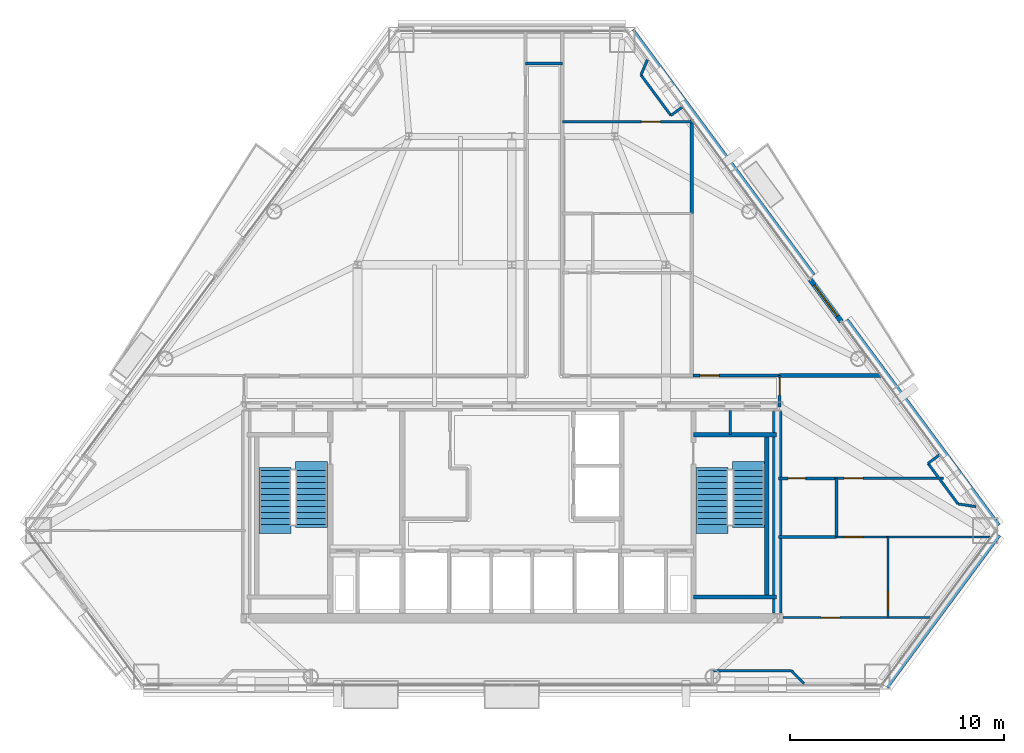
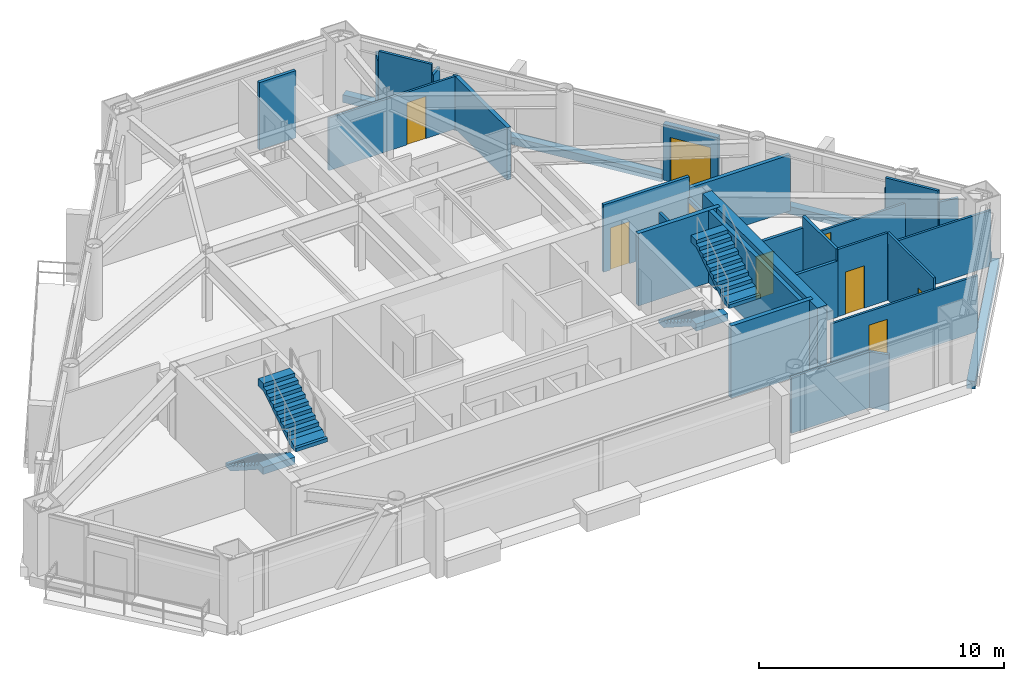
# One storey, part 9 of 11: 31 walls, 9 doors, 4 stair flights, 9 openings, 2 elements without a shape of their own.
"""IFC4 building model written with IfcOpenShell, lengths in metres."""

from ifc_helpers import new_model, si_unit, direction, frame, frame_2d, origin, place, context, subcontext, project, spatial, polyline, rectangle, outline, extrude, material, layer, layer_set, type_object, element, fill, aggregate, save


model = new_model("IFC4")

# Units and contexts
model_context = context("Model", 3, precision=1e-05, world=origin(), true_north=direction((0.0, 1.0)))
body_context = subcontext(model_context, "Body", "Model", "MODEL_VIEW")
ifc_project = project(units=[si_unit("LENGTHUNIT", "METRE"), si_unit("AREAUNIT", "SQUARE_METRE"), si_unit("VOLUMEUNIT", "CUBIC_METRE"), si_unit("PLANEANGLEUNIT", "RADIAN"), si_unit("MASSUNIT", "GRAM", prefix="KILO")], contexts=[model_context])

# Site, building, storey
site_placement = place(None, origin())
site = spatial("IfcSite", under=ifc_project, at=site_placement, CompositionType="ELEMENT")
building_placement = place(site_placement, origin())
building = spatial("IfcBuilding", under=site, at=building_placement, Name="Talgorran Terracotta Tower", CompositionType="ELEMENT")
storey_placement = place(building_placement, frame((0.0, 0.0, 136.5)))
storey = spatial("IfcBuildingStorey", under=building, at=storey_placement, Name="L35", CompositionType="ELEMENT", Elevation=136.5)

# Wall, opening, door
ifc_material_1 = material(Name="Concrete C40/50", Category="concrete")
ifc_layer_1 = layer(ifc_material_1, 0.239990234375, Name="WT_BALCONY_SPAND")
ifc_layer_set_1 = layer_set([ifc_layer_1], Name="Concrete C40/50")
wall_type_1 = type_object("IfcWallType", Name="WT_BALCONY_SPAND", PredefinedType="STANDARD", material=ifc_layer_set_1)
wall_1_placement = place(storey_placement, frame((15.38427734375, -0.24560546875, -0.014892578125), z_axis=(0.0, 0.0, 1.0), x_axis=(-0.594317914364, 0.804230201289, 0.0)))
wall_1 = element("IfcWall", 1, at=wall_1_placement, inside=storey, type_object=wall_type_1, Name="WL-L35-BALP-BAL-NE", PredefinedType="STANDARD", context=body_context, shape_type="SweptSolid", body=[
    extrude(rectangle(XDim=2.440185546875, YDim=0.239990234375, at=frame_2d((1.22021484375, 0.0))), origin(), (0.0, 0.0, 1.0), 2.806884765625),
])
opening_1_placement = place(wall_1_placement, frame((0.320068359375, 0.0, 0.014892578125)))
opening_1 = element("IfcOpeningElement", 2, at=opening_1_placement, cuts=wall_1, Name="Opening D-BAL-L35-1", PredefinedType="OPENING", context=body_context, shape_type="SweptSolid", body=[
    extrude(rectangle(XDim=1.806048828125, YDim=2.203951171875, at=frame_2d((0.89990234375, 1.10205078125))), frame((0.0, 0.1298828125, 0.0), z_axis=(0.0, -1.0, 0.0), x_axis=(1.0, 0.0, 0.0)), (0.0, 0.0, 1.0), 0.260009765625),
])
ifc_material_2 = material(Name="Thermally Broken Aluminium", Category="aluminium")
door_type_1 = type_object("IfcDoorType", Name="DT_BALC_1800", OperationType="SLIDING_TO_LEFT", PredefinedType="DOOR", material=ifc_material_2)
door_1_placement = place(opening_1_placement, origin())
door_1 = element("IfcDoor", 3, at=door_1_placement, inside=storey, type_object=door_type_1, Name="DR-L35-BAL-BAL-NE", OperationType="SLIDING_TO_LEFT", OverallHeight=2.199951171875, OverallWidth=1.800048828125, PredefinedType="DOOR", context=body_context, shape_type="SweptSolid", body=[
    extrude(rectangle(XDim=1.800048828125, YDim=2.199951171875, at=frame_2d((0.89990234375, 1.10009765625))), frame((0.0, 0.02490234375, 0.0), z_axis=(0.0, -1.0, 0.0), x_axis=(1.0, 0.0, 0.0)), (0.0, 0.0, 1.0), 0.050048828125),
])
fill(opening_1, door_1)

# Walls
ifc_material_3 = material(Name="Concrete C50/60", Category="concrete")
ifc_layer_2 = layer(ifc_material_3, 0.199951171875, Name="WT_CORE_200")
ifc_layer_set_2 = layer_set([ifc_layer_2], Name="Concrete C50/60")
wall_type_2 = type_object("IfcWallType", Name="WT_CORE_200", PredefinedType="SOLIDWALL", material=ifc_layer_set_2)
for number, where, z_axis, x_axis, name in (
    (4, (8.47998046875, -5.52001953125, 0.0), (0.0, 0.0, 1.0), (1.0, 0.0, 0.0), "WL-L35-CW-ST2-N"),
    (5, (8.47998046875, -13.10009765625, 0.0), (0.0, 0.0, 1.0), (1.0, 0.0, 0.0), "WL-L35-CW-ST2-S"),
):
    element("IfcWall", number, at=place(storey_placement, frame(where, z_axis=z_axis, x_axis=x_axis)), inside=storey, type_object=wall_type_2, Name=name, PredefinedType="SOLIDWALL", context=body_context, shape_type="SweptSolid", body=[
        extrude(rectangle(XDim=3.8701171875, YDim=0.199951171875, at=frame_2d((1.93505859375, 0.0))), origin(), (0.0, 0.0, 1.0), 3.60009765625),
    ])
wall_2_placement = place(storey_placement, frame((11.89990234375, -13.10009765625, 0.0), z_axis=(0.0, 0.0, 1.0), x_axis=(0.0, 1.0, 0.0)))
element("IfcWall", 6, at=wall_2_placement, inside=storey, type_object=wall_type_2, Name="WL-L35-CW-ST2-E", PredefinedType="SOLIDWALL", context=body_context, shape_type="SweptSolid", body=[
    extrude(rectangle(XDim=7.580078125, YDim=0.199951171875, at=frame_2d((3.7900390625, 0.0))), origin(), (0.0, 0.0, 1.0), 3.60009765625),
])
ifc_material_4 = material(Name="Concrete C65/80", Category="concrete")
ifc_layer_3 = layer(ifc_material_4, 0.449951171875, Name="WT_CORE_EXT")
ifc_layer_set_3 = layer_set([ifc_layer_3], Name="Concrete C65/80")
wall_type_3 = type_object("IfcWallType", Name="WT_CORE_EXT", PredefinedType="SHEAR", material=ifc_layer_set_3)
wall_3_placement = place(storey_placement, frame((12.39990234375, -13.85009765625, 0.0), z_axis=(0.0, 0.0, 1.0), x_axis=(0.0, 1.0, 0.0)))
element("IfcWall", 7, at=wall_3_placement, inside=storey, type_object=wall_type_3, Name="WL-L35-CW-OUT-E", PredefinedType="SHEAR", context=body_context, shape_type="SweptSolid", body=[
    extrude(rectangle(XDim=9.400146484375, YDim=0.449951171875, at=frame_2d((4.7001953125, 0.0))), origin(), (0.0, 0.0, 1.0), 3.60009765625),
])

# Wall, opening, door
ifc_material_5 = material(Name="Fire-Rated Steel Stud Plasterboard", Category="steel")
ifc_layer_4 = layer(ifc_material_5, 0.14990234375, Name="WT_FIRE_150")
ifc_layer_set_4 = layer_set([ifc_layer_4], Name="Fire-Rated Steel Stud Plasterboard")
wall_type_4 = type_object("IfcWallType", Name="WT_FIRE_150", PredefinedType="PARTITIONING", material=ifc_layer_set_4)
wall_4_placement = place(storey_placement, frame((8.4619140625, -2.760009765625, 0.0), z_axis=(0.0, 0.0, 1.0), x_axis=(1.0, 0.0, 0.0)))
wall_4 = element("IfcWall", 8, at=wall_4_placement, inside=storey, type_object=wall_type_4, Name="WL-L35-W-L35-R12", PredefinedType="PARTITIONING", context=body_context, shape_type="SweptSolid", body=[
    extrude(rectangle(XDim=4.0380859375, YDim=0.14990234375, at=frame_2d((2.01904296875, 0.0))), origin(), (0.0, 0.0, 1.0), 3.35009765625),
])
opening_2_placement = place(wall_4_placement, frame((0.31591796875, 0.0, 0.0)))
opening_2 = element("IfcOpeningElement", 9, at=opening_2_placement, cuts=wall_4, Name="Opening DR-L35-R13", PredefinedType="OPENING", context=body_context, shape_type="SweptSolid", body=[
    extrude(rectangle(XDim=0.90590234375, YDim=2.10409765625, at=frame_2d((0.449951171875, 1.052001953125))), frame((0.0, 0.0849609375, 0.0), z_axis=(0.0, -1.0, 0.0), x_axis=(1.0, 0.0, 0.0)), (0.0, 0.0, 1.0), 0.169921875),
])
ifc_material_6 = material(Name="Fire-Rated Timber Core", Category="wood")
door_type_2 = type_object("IfcDoorType", Name="DT_FIRE_900", OperationType="NOTDEFINED", PredefinedType="DOOR", material=ifc_material_6)
door_2_placement = place(opening_2_placement, origin())
door_2 = element("IfcDoor", 10, at=door_2_placement, inside=storey, type_object=door_type_2, Name="DR-L35-R13", OperationType="SINGLE_SWING_LEFT", OverallHeight=2.10009765625, OverallWidth=0.89990234375, PredefinedType="DOOR", context=body_context, shape_type="SweptSolid", body=[
    extrude(rectangle(XDim=0.89990234375, YDim=2.10009765625, at=frame_2d((0.449951171875, 1.050048828125))), frame((0.0, 0.02490234375, 0.0), z_axis=(0.0, -1.0, 0.0), x_axis=(1.0, 0.0, 0.0)), (0.0, 0.0, 1.0), 0.050048828125),
])
fill(opening_2, door_2)

wall_5_placement = place(storey_placement, frame((12.5, -4.239990234375, 0.0), z_axis=(0.0, 0.0, 1.0), x_axis=(0.0, 1.0, 0.0)))
wall_5 = element("IfcWall", 11, at=wall_5_placement, inside=storey, type_object=wall_type_4, Name="WL-L35-W-L35-R01", PredefinedType="PARTITIONING", context=body_context, shape_type="SweptSolid", body=[
    extrude(rectangle(XDim=1.47998046875, YDim=0.14990234375, at=frame_2d((0.739990234375, 0.0))), origin(), (0.0, 0.0, 1.0), 2.324951171875),
])
opening_3_placement = place(wall_5_placement, frame((0.56005859375, 0.0, 0.0)))
opening_3 = element("IfcOpeningElement", 12, at=opening_3_placement, cuts=wall_5, Name="Opening DR-L35-R01", PredefinedType="OPENING", context=body_context, shape_type="SweptSolid", body=[
    extrude(rectangle(XDim=0.826068359375, YDim=2.10409765625, at=frame_2d((0.41015625, 1.052001953125))), frame((0.0, 0.0849609375, 0.0), z_axis=(0.0, -1.0, 0.0), x_axis=(1.0, 0.0, 0.0)), (0.0, 0.0, 1.0), 0.169921875),
])
ifc_material_7 = material(Name="Moisture-Resistant Solid Timber", Category="wood")
door_type_3 = type_object("IfcDoorType", Name="DT_INT_820", OperationType="NOTDEFINED", PredefinedType="DOOR", material=ifc_material_7)
door_3_placement = place(opening_3_placement, origin())
door_3 = element("IfcDoor", 13, at=door_3_placement, inside=storey, type_object=door_type_3, Name="DR-L35-R01", OperationType="SINGLE_SWING_LEFT", OverallHeight=2.10009765625, OverallWidth=0.820068359375, PredefinedType="DOOR", context=body_context, shape_type="SweptSolid", body=[
    extrude(rectangle(XDim=0.820068359375, YDim=2.10009765625, at=frame_2d((0.41015625, 1.050048828125))), frame((0.0, 0.02490234375, 0.0), z_axis=(0.0, -1.0, 0.0), x_axis=(1.0, 0.0, 0.0)), (0.0, 0.0, 1.0), 0.050048828125),
])
fill(opening_3, door_3)

# Walls
wall_6_placement = place(storey_placement, frame((0.639892578125, 11.800048828125, 0.0), z_axis=(0.0, 0.0, 1.0), x_axis=(1.0, 0.0, 0.0)))
element("IfcWall", 14, at=wall_6_placement, inside=storey, type_object=wall_type_4, Name="WL-L35-W-L35-R05", PredefinedType="PARTITIONING", context=body_context, shape_type="SweptSolid", body=[
    extrude(rectangle(XDim=1.72021484375, YDim=0.14990234375, at=frame_2d((0.860107421875, 0.0))), origin(), (0.0, 0.0, 1.0), 3.35009765625),
])
ifc_layer_5 = layer(ifc_material_1, 0.219970703125, Name="WT_PARAPET_RC")
ifc_layer_set_5 = layer_set([ifc_layer_5], Name="Concrete C40/50")
wall_type_5 = type_object("IfcWallType", Name="WT_PARAPET_RC", PredefinedType="PARAPET", material=ifc_layer_set_5)
wall_7_placement = place(storey_placement, frame((17.434814453125, -17.249755859375, -0.199951171875), z_axis=(0.0, 0.0, 1.0), x_axis=(0.59435368638, 0.804203764905, 0.0)))
element("IfcWall", 15, at=wall_7_placement, inside=storey, type_object=wall_type_5, Name="L35 Striped Portal Precast Cornice F2", PredefinedType="PARAPET", context=body_context, shape_type="SweptSolid", body=[
    extrude(rectangle(XDim=8.816162109375, YDim=0.360107421875, at=frame_2d((4.408203125, 0.0))), origin(), (0.0, 0.0, 1.0), 0.3798828125),
])
wall_8_placement = place(storey_placement, frame((22.65087890625, -9.80859375, -0.199951171875), z_axis=(0.0, 0.0, 1.0), x_axis=(-0.594348443541, 0.804207639643, 0.0)))
element("IfcWall", 16, at=wall_8_placement, inside=storey, type_object=wall_type_5, Name="L35 Striped Portal Precast Cornice F40", PredefinedType="PARAPET", context=body_context, shape_type="SweptSolid", body=[
    extrude(rectangle(XDim=11.919677734375, YDim=0.360107421875, at=frame_2d((5.9599609375, 0.0))), origin(), (0.0, 0.0, 1.0), 0.3798828125),
])
wall_9_placement = place(storey_placement, frame((14.00927734375, 1.88427734375, -0.199951171875), z_axis=(0.0, 0.0, 1.0), x_axis=(-0.594366423929, 0.804194350954, 0.0)))
element("IfcWall", 17, at=wall_9_placement, inside=storey, type_object=wall_type_5, Name="L35 Striped Portal Precast Cornice F41", PredefinedType="PARAPET", context=body_context, shape_type="SweptSolid", body=[
    extrude(rectangle(XDim=14.210205078125, YDim=0.360107421875, at=frame_2d((7.10498046875, 0.0))), origin(), (0.0, 0.0, 1.0), 0.3798828125),
])
ifc_material_8 = material(Name="Acoustic Stud and Plasterboard")
ifc_layer_6 = layer(ifc_material_8, 0.179931640625, Name="WT_PARTY_200")
ifc_layer_set_6 = layer_set([ifc_layer_6], Name="Acoustic Stud and Plasterboard")
wall_type_6 = type_object("IfcWallType", Name="WT_PARTY_200", PredefinedType="PARTITIONING", material=ifc_layer_set_6)
wall_10_placement = place(storey_placement, frame((12.5, -2.760009765625, 0.0), z_axis=(0.0, 0.0, 1.0), x_axis=(1.0, 0.0, 0.0)))
element("IfcWall", 18, at=wall_10_placement, inside=storey, type_object=wall_type_6, Name="WL-L35-W-L35-R16", PredefinedType="PARTITIONING", context=body_context, shape_type="SweptSolid", body=[
    extrude(rectangle(XDim=4.74267578125, YDim=0.179931640625, at=frame_2d((2.371337890625, 0.0))), origin(), (0.0, 0.0, 1.0), 2.7919921875),
])
wall_11_placement = place(storey_placement, frame((8.39990234375, 4.800048828125, 0.0), z_axis=(0.0, 0.0, 1.0), x_axis=(0.0, 1.0, 0.0)))
element("IfcWall", 19, at=wall_11_placement, inside=storey, type_object=wall_type_6, Name="WL-L35-W-L35-R33", PredefinedType="PARTITIONING", context=body_context, shape_type="SweptSolid", body=[
    extrude(rectangle(XDim=4.404541015625, YDim=0.179931640625, at=frame_2d((2.2021484375, 0.0))), origin(), (0.0, 0.0, 1.0), 2.616943359375),
])

# Wall, opening, door
ifc_material_9 = material(Name="Lightweight Steel Stud Partition", Category="steel")
ifc_layer_7 = layer(ifc_material_9, 0.10498046875, Name="WT_PART_110")
ifc_layer_set_7 = layer_set([ifc_layer_7], Name="Lightweight Steel Stud Partition")
wall_type_7 = type_object("IfcWallType", Name="WT_PART_110", PredefinedType="PARTITIONING", material=ifc_layer_set_7)
wall_12_placement = place(storey_placement, frame((12.659912109375, -14.06005859375, 0.0), z_axis=(0.0, 0.0, 1.0), x_axis=(1.0, 0.0, 0.0)))
wall_12 = element("IfcWall", 20, at=wall_12_placement, inside=storey, type_object=wall_type_7, Name="WL-L35-W-L35-R21", PredefinedType="PARTITIONING", context=body_context, shape_type="SweptSolid", body=[
    extrude(rectangle(XDim=6.933349609375, YDim=0.10498046875, at=frame_2d((3.466796875, 0.0))), origin(), (0.0, 0.0, 1.0), 2.7919921875),
])
opening_4_placement = place(wall_12_placement, frame((1.780029296875, 0.0, 0.0)))
opening_4 = element("IfcOpeningElement", 21, at=opening_4_placement, cuts=wall_12, Name="Opening DR-L35-R04", PredefinedType="OPENING", context=body_context, shape_type="SweptSolid", body=[
    extrude(rectangle(XDim=0.8858828125, YDim=2.10409765625, at=frame_2d((0.43994140625, 1.052001953125))), frame((0.0, 0.0625, 0.0), z_axis=(0.0, -1.0, 0.0), x_axis=(1.0, 0.0, 0.0)), (0.0, 0.0, 1.0), 0.125),
])
ifc_material_10 = material(Name="Solid-Core Painted Timber", Category="wood")
door_type_4 = type_object("IfcDoorType", Name="DT_INT_880", OperationType="NOTDEFINED", PredefinedType="DOOR", material=ifc_material_10)
door_4_placement = place(opening_4_placement, origin())
door_4 = element("IfcDoor", 22, at=door_4_placement, inside=storey, type_object=door_type_4, Name="DR-L35-R04", OperationType="SINGLE_SWING_RIGHT", OverallHeight=2.10009765625, OverallWidth=0.8798828125, PredefinedType="DOOR", context=body_context, shape_type="SweptSolid", body=[
    extrude(rectangle(XDim=0.8798828125, YDim=2.10009765625, at=frame_2d((0.43994140625, 1.050048828125))), frame((0.0, 0.02490234375, 0.0), z_axis=(0.0, -1.0, 0.0), x_axis=(1.0, 0.0, 0.0)), (0.0, 0.0, 1.0), 0.050048828125),
])
fill(opening_4, door_4)

wall_13_placement = place(storey_placement, frame((2.360107421875, 9.080078125, 0.0), z_axis=(0.0, 0.0, 1.0), x_axis=(1.0, 0.0, 0.0)))
wall_13 = element("IfcWall", 23, at=wall_13_placement, inside=storey, type_object=wall_type_7, Name="WL-L35-W-L35-R32", PredefinedType="PARTITIONING", context=body_context, shape_type="SweptSolid", body=[
    extrude(rectangle(XDim=6.132080078125, YDim=0.10498046875, at=frame_2d((3.06591796875, 0.0))), origin(), (0.0, 0.0, 1.0), 2.616943359375),
])
opening_5_placement = place(wall_13_placement, frame((3.69091796875, 0.0, 0.0)))
opening_5 = element("IfcOpeningElement", 24, at=opening_5_placement, cuts=wall_13, Name="Opening DR-L35-R12", PredefinedType="OPENING", context=body_context, shape_type="SweptSolid", body=[
    extrude(rectangle(XDim=0.8858828125, YDim=2.10409765625, at=frame_2d((0.43994140625, 1.052001953125))), frame((0.0, 0.0625, 0.0), z_axis=(0.0, -1.0, 0.0), x_axis=(1.0, 0.0, 0.0)), (0.0, 0.0, 1.0), 0.125),
])
door_5_placement = place(opening_5_placement, origin())
door_5 = element("IfcDoor", 25, at=door_5_placement, inside=storey, type_object=door_type_4, Name="DR-L35-R12", OperationType="SINGLE_SWING_RIGHT", OverallHeight=2.10009765625, OverallWidth=0.8798828125, PredefinedType="DOOR", context=body_context, shape_type="SweptSolid", body=[
    extrude(rectangle(XDim=0.8798828125, YDim=2.10009765625, at=frame_2d((0.43994140625, 1.050048828125))), frame((0.0, 0.02490234375, 0.0), z_axis=(0.0, -1.0, 0.0), x_axis=(1.0, 0.0, 0.0)), (0.0, 0.0, 1.0), 0.050048828125),
])
fill(opening_5, door_5)

wall_14_placement = place(storey_placement, frame((15.080078125, -7.56005859375, 0.0), z_axis=(0.0, 0.0, 1.0), x_axis=(1.0, 0.0, 0.0)))
wall_14 = element("IfcWall", 26, at=wall_14_placement, inside=storey, type_object=wall_type_7, Name="WL-L35-W-L35-R15", PredefinedType="PARTITIONING", context=body_context, shape_type="SweptSolid", body=[
    extrude(rectangle(XDim=5.079833984375, YDim=0.10498046875, at=frame_2d((2.5400390625, 0.0))), origin(), (0.0, 0.0, 1.0), 2.324951171875),
])
opening_6_placement = place(wall_14_placement, frame((0.438232421875, 0.0, 0.0)))
opening_6 = element("IfcOpeningElement", 27, at=opening_6_placement, cuts=wall_14, Name="Opening DR-L35-R03", PredefinedType="OPENING", context=body_context, shape_type="SweptSolid", body=[
    extrude(rectangle(XDim=0.8858828125, YDim=2.10409765625, at=frame_2d((0.43994140625, 1.052001953125))), frame((0.0, 0.0625, 0.0), z_axis=(0.0, -1.0, 0.0), x_axis=(1.0, 0.0, 0.0)), (0.0, 0.0, 1.0), 0.125),
])
door_6_placement = place(opening_6_placement, origin())
door_6 = element("IfcDoor", 28, at=door_6_placement, inside=storey, type_object=door_type_4, Name="DR-L35-R03", OperationType="SINGLE_SWING_LEFT", OverallHeight=2.10009765625, OverallWidth=0.8798828125, PredefinedType="DOOR", context=body_context, shape_type="SweptSolid", body=[
    extrude(rectangle(XDim=0.8798828125, YDim=2.10009765625, at=frame_2d((0.43994140625, 1.050048828125))), frame((0.0, 0.02490234375, 0.0), z_axis=(0.0, -1.0, 0.0), x_axis=(1.0, 0.0, 0.0)), (0.0, 0.0, 1.0), 0.050048828125),
])
fill(opening_6, door_6)

# Wall
wall_15_placement = place(storey_placement, frame((17.5, -10.300048828125, 0.0), z_axis=(0.0, 0.0, 1.0), x_axis=(1.0, 0.0, 0.0)))
element("IfcWall", 29, at=wall_15_placement, inside=storey, type_object=wall_type_7, Name="WL-L35-W-L35-R20", PredefinedType="PARTITIONING", context=body_context, shape_type="SweptSolid", body=[
    extrude(rectangle(XDim=4.8720703125, YDim=0.10498046875, at=frame_2d((2.43603515625, 0.0))), origin(), (0.0, 0.0, 1.0), 2.7919921875),
])

# Wall, opening, door
wall_16_placement = place(storey_placement, frame((17.56005859375, -14.06005859375, 0.0), z_axis=(0.0, 0.0, 1.0), x_axis=(0.0, 1.0, 0.0)))
wall_16 = element("IfcWall", 30, at=wall_16_placement, inside=storey, type_object=wall_type_7, Name="WL-L35-W-L35-R22", PredefinedType="PARTITIONING", context=body_context, shape_type="SweptSolid", body=[
    extrude(rectangle(XDim=3.760009765625, YDim=0.10498046875, at=frame_2d((1.8798828125, 0.0))), origin(), (0.0, 0.0, 1.0), 3.35009765625),
])
opening_7_placement = place(wall_16_placement, frame((0.360107421875, 0.0, 0.0)))
opening_7 = element("IfcOpeningElement", 31, at=opening_7_placement, cuts=wall_16, Name="Opening DR-L35-R05", PredefinedType="OPENING", context=body_context, shape_type="SweptSolid", body=[
    extrude(rectangle(XDim=0.8858828125, YDim=2.10409765625, at=frame_2d((0.43994140625, 1.052001953125))), frame((0.0, 0.0625, 0.0), z_axis=(0.0, -1.0, 0.0), x_axis=(1.0, 0.0, 0.0)), (0.0, 0.0, 1.0), 0.125),
])
door_7_placement = place(opening_7_placement, origin())
door_7 = element("IfcDoor", 32, at=door_7_placement, inside=storey, type_object=door_type_4, Name="DR-L35-R05", OperationType="SINGLE_SWING_LEFT", OverallHeight=2.10009765625, OverallWidth=0.8798828125, PredefinedType="DOOR", context=body_context, shape_type="SweptSolid", body=[
    extrude(rectangle(XDim=0.8798828125, YDim=2.10009765625, at=frame_2d((0.43994140625, 1.050048828125))), frame((0.0, 0.02490234375, 0.0), z_axis=(0.0, -1.0, 0.0), x_axis=(1.0, 0.0, 0.0)), (0.0, 0.0, 1.0), 0.050048828125),
])
fill(opening_7, door_7)

wall_17_placement = place(storey_placement, frame((15.159912109375, -10.300048828125, 0.0), z_axis=(0.0, 0.0, 1.0), x_axis=(1.0, 0.0, 0.0)))
wall_17 = element("IfcWall", 33, at=wall_17_placement, inside=storey, type_object=wall_type_7, Name="WL-L35-W-L35-R19", PredefinedType="PARTITIONING", context=body_context, shape_type="SweptSolid", body=[
    extrude(rectangle(XDim=2.338134765625, YDim=0.10498046875, at=frame_2d((1.1689453125, 0.0))), origin(), (0.0, 0.0, 1.0), 3.35009765625),
])
opening_8_placement = place(wall_17_placement, frame((0.3564453125, 0.0, 0.0)))
opening_8 = element("IfcOpeningElement", 34, at=opening_8_placement, cuts=wall_17, Name="Opening DR-L35-R16", PredefinedType="OPENING", context=body_context, shape_type="SweptSolid", body=[
    extrude(rectangle(XDim=0.8858828125, YDim=2.10409765625, at=frame_2d((0.43994140625, 1.052001953125))), frame((0.0, 0.0625, 0.0), z_axis=(0.0, -1.0, 0.0), x_axis=(1.0, 0.0, 0.0)), (0.0, 0.0, 1.0), 0.125),
])
door_8_placement = place(opening_8_placement, origin())
door_8 = element("IfcDoor", 35, at=door_8_placement, inside=storey, type_object=door_type_4, Name="DR-L35-R16", OperationType="SINGLE_SWING_RIGHT", OverallHeight=2.10009765625, OverallWidth=0.8798828125, PredefinedType="DOOR", context=body_context, shape_type="SweptSolid", body=[
    extrude(rectangle(XDim=0.8798828125, YDim=2.10009765625, at=frame_2d((0.43994140625, 1.050048828125))), frame((0.0, 0.02490234375, 0.0), z_axis=(0.0, -1.0, 0.0), x_axis=(1.0, 0.0, 0.0)), (0.0, 0.0, 1.0), 0.050048828125),
])
fill(opening_8, door_8)

# Walls
ifc_material_11 = material(Name="Insulated Steel Stud Plasterboard", Category="steel")
ifc_layer_8 = layer(ifc_material_11, 0.1201171875, Name="WT_PART_120")
ifc_layer_set_8 = layer_set([ifc_layer_8], Name="Insulated Steel Stud Plasterboard")
wall_type_8 = type_object("IfcWallType", Name="WT_PART_120", PredefinedType="PARTITIONING", material=ifc_layer_set_8)
wall_18_placement = place(storey_placement, frame((10.199951171875, -5.52001953125, 0.0), z_axis=(0.0, 0.0, 1.0), x_axis=(0.0, 1.0, 0.0)))
element("IfcWall", 36, at=wall_18_placement, inside=storey, type_object=wall_type_8, Name="WL-L35-CW-CSE-DIV", PredefinedType="PARTITIONING", context=body_context, shape_type="SweptSolid", body=[
    extrude(rectangle(XDim=1.1201171875, YDim=0.1201171875, at=frame_2d((0.56005859375, 0.0))), origin(), (0.0, 0.0, 1.0), 3.35009765625),
])
wall_19_placement = place(storey_placement, frame((9.3583984375, -16.538818359375, 0.0), z_axis=(0.0, 0.0, 1.0), x_axis=(1.0, 0.0, 0.0)))
element("IfcWall", 37, at=wall_19_placement, inside=storey, type_object=wall_type_8, Name="WL-L35-BW-L35-06", PredefinedType="PARTITIONING", context=body_context, shape_type="SweptSolid", body=[
    extrude(rectangle(XDim=3.693115234375, YDim=0.1201171875, at=frame_2d((1.8466796875, 0.0))), origin(), (0.0, 0.0, 1.0), 2.7919921875),
])
wall_20_placement = place(storey_placement, frame((7.427734375, 9.376220703125, 0.0), z_axis=(0.0, 0.0, 1.0), x_axis=(-0.594385220585, 0.804180458324, 0.0)))
element("IfcWall", 38, at=wall_20_placement, inside=storey, type_object=wall_type_8, Name="WL-L35-BW-L35-17", PredefinedType="PARTITIONING", context=body_context, shape_type="SweptSolid", body=[
    extrude(rectangle(XDim=2.3505859375, YDim=0.1201171875, at=frame_2d((1.17529296875, 0.0))), origin(), (0.0, 0.0, 1.0), 3.35009765625),
])
wall_21_placement = place(storey_placement, frame((20.8271484375, -8.754150390625, 0.0), z_axis=(0.0, 0.0, 1.0), x_axis=(-0.594335579712, 0.804217146477, 0.0)))
element("IfcWall", 39, at=wall_21_placement, inside=storey, type_object=wall_type_8, Name="WL-L35-BW-L35-12", PredefinedType="PARTITIONING", context=body_context, shape_type="SweptSolid", body=[
    extrude(rectangle(XDim=2.350830078125, YDim=0.1201171875, at=frame_2d((1.17529296875, 0.0))), origin(), (0.0, 0.0, 1.0), 3.35009765625),
])
for number, where, z_axis, x_axis, name in (
    (40, (21.6669921875, -8.88134765625, 0.0), (0.0, 0.0, 1.0), (-0.988724532677, 0.149745779513, 0.0), "WL-L35-BW-L35-11"),
    (41, (13.051513671875, -16.538818359375, 0.0), (0.0, 0.0, 1.0), (0.70133476746, -0.712832058729, 0.0), "WL-L35-BW-L35-04"),
):
    element("IfcWall", number, at=place(storey_placement, frame(where, z_axis=z_axis, x_axis=x_axis)), inside=storey, type_object=wall_type_8, Name=name, PredefinedType="PARTITIONING", context=body_context, shape_type="SweptSolid", body=[
        extrude(rectangle(XDim=0.849365234375, YDim=0.1201171875, at=frame_2d((0.4248046875, 0.0))), origin(), (0.0, 0.0, 1.0), 2.7919921875),
    ])
wall_22_placement = place(storey_placement, frame((6.030517578125, 11.2666015625, 0.0), z_axis=(0.0, 0.0, 1.0), x_axis=(0.389486531809, 0.921032160969, 0.0)))
element("IfcWall", 42, at=wall_22_placement, inside=storey, type_object=wall_type_8, Name="WL-L35-BW-L35-18", PredefinedType="PARTITIONING", context=body_context, shape_type="SweptSolid", body=[
    extrude(rectangle(XDim=0.778564453125, YDim=0.1201171875, at=frame_2d((0.38916015625, 0.0))), origin(), (0.0, 0.0, 1.0), 2.7919921875),
])
for number, where, z_axis, x_axis, name in (
    (43, (19.429931640625, -6.863525390625, 0.0), (0.0, 0.0, 1.0), (0.804221577226, 0.594329584257, 0.0), "WL-L35-BW-L35-10"),
    (44, (7.966552734375, 9.7744140625, 0.0), (0.0, 0.0, 1.0), (-0.804221577226, -0.594329584257, 0.0), "WL-L35-BW-L35-16"),
):
    element("IfcWall", number, at=place(storey_placement, frame(where, z_axis=z_axis, x_axis=x_axis)), inside=storey, type_object=wall_type_8, Name=name, PredefinedType="PARTITIONING", context=body_context, shape_type="SweptSolid", body=[
        extrude(rectangle(XDim=0.669921875, YDim=0.1201171875, at=frame_2d((0.3349609375, 0.0))), origin(), (0.0, 0.0, 1.0), 2.7919921875),
    ])

# Wall, opening, door
ifc_material_12 = material(Name="Moisture-Resistant Stud Wall")
ifc_layer_9 = layer(ifc_material_12, 0.135009765625, Name="WT_PART_135")
ifc_layer_set_9 = layer_set([ifc_layer_9], Name="Moisture-Resistant Stud Wall")
wall_type_9 = type_object("IfcWallType", Name="WT_PART_135", PredefinedType="PARTITIONING", material=ifc_layer_set_9)
wall_23_placement = place(storey_placement, frame((12.43994140625, -7.56005859375, 0.0), z_axis=(0.0, 0.0, 1.0), x_axis=(1.0, 0.0, 0.0)))
wall_23 = element("IfcWall", 45, at=wall_23_placement, inside=storey, type_object=wall_type_9, Name="WL-L35-W-L35-R14", PredefinedType="PARTITIONING", context=body_context, shape_type="SweptSolid", body=[
    extrude(rectangle(XDim=2.637939453125, YDim=0.135009765625, at=frame_2d((1.31884765625, 0.0))), origin(), (0.0, 0.0, 1.0), 2.7919921875),
])
opening_9_placement = place(wall_23_placement, frame((0.457763671875, 0.0, 0.0)))
opening_9 = element("IfcOpeningElement", 46, at=opening_9_placement, cuts=wall_23, Name="Opening DR-L35-R02", PredefinedType="OPENING", context=body_context, shape_type="SweptSolid", body=[
    extrude(rectangle(XDim=0.826068359375, YDim=2.10409765625, at=frame_2d((0.41015625, 1.052001953125))), frame((0.0, 0.07763671875, 0.0), z_axis=(0.0, -1.0, 0.0), x_axis=(1.0, 0.0, 0.0)), (0.0, 0.0, 1.0), 0.155029296875),
])
door_9_placement = place(opening_9_placement, origin())
door_9 = element("IfcDoor", 47, at=door_9_placement, inside=storey, type_object=door_type_3, Name="DR-L35-R02", OperationType="SINGLE_SWING_RIGHT", OverallHeight=2.10009765625, OverallWidth=0.820068359375, PredefinedType="DOOR", context=body_context, shape_type="SweptSolid", body=[
    extrude(rectangle(XDim=0.820068359375, YDim=2.10009765625, at=frame_2d((0.41015625, 1.050048828125))), frame((0.0, 0.02490234375, 0.0), z_axis=(0.0, -1.0, 0.0), x_axis=(1.0, 0.0, 0.0)), (0.0, 0.0, 1.0), 0.050048828125),
])
fill(opening_9, door_9)

# Walls
wall_24_placement = place(storey_placement, frame((15.159912109375, -10.300048828125, 0.0), z_axis=(0.0, 0.0, 1.0), x_axis=(0.0, 1.0, 0.0)))
element("IfcWall", 48, at=wall_24_placement, inside=storey, type_object=wall_type_9, Name="WL-L35-W-L35-R17", PredefinedType="PARTITIONING", context=body_context, shape_type="SweptSolid", body=[
    extrude(rectangle(XDim=2.739990234375, YDim=0.135009765625, at=frame_2d((1.3701171875, 0.0))), origin(), (0.0, 0.0, 1.0), 3.35009765625),
])
wall_25_placement = place(storey_placement, frame((12.43994140625, -10.300048828125, 0.0), z_axis=(0.0, 0.0, 1.0), x_axis=(1.0, 0.0, 0.0)))
element("IfcWall", 49, at=wall_25_placement, inside=storey, type_object=wall_type_9, Name="WL-L35-W-L35-R18", PredefinedType="PARTITIONING", context=body_context, shape_type="SweptSolid", body=[
    extrude(rectangle(XDim=2.719970703125, YDim=0.135009765625, at=frame_2d((1.35986328125, 0.0))), origin(), (0.0, 0.0, 1.0), 2.7919921875),
])

# Stair, stair flights
stair_type = type_object("IfcStairType", Name="ST_FIRE_SCISSOR", PredefinedType="HALF_TURN_STAIR", material=ifc_material_1)
stair_1_placement = place(storey_placement, origin())
stair_1 = element("IfcStair", 50, at=stair_1_placement, inside=storey, type_object=stair_type, Name="L35 West Protected Fire Stair ST-01", PredefinedType="HALF_TURN_STAIR")
ifc_layer_10 = layer(ifc_material_1, 0.179931640625, Name="STF_RC_1500")
ifc_layer_set_10 = layer_set([ifc_layer_10], Name="Concrete C40/50")
stair_flight_type = type_object("IfcStairFlightType", Name="STF_RC_1500", PredefinedType="STRAIGHT", material=ifc_layer_set_10)
stair_flight_1_placement = place(storey_placement, frame((-11.050048828125, -7.199951171875, 0.0), z_axis=(0.0, 0.0, 1.0), x_axis=(0.0, -1.0, 0.0)))
stair_flight_1 = element("IfcStairFlight", 51, at=stair_flight_1_placement, type_object=stair_flight_type, Name="ST-01 flight 1", NumberOfRisers=10, NumberOfTreads=9, PredefinedType="STRAIGHT", RiserHeight=0.18, TreadLength=0.28, context=body_context, shape_type="SweptSolid", body=[
    extrude(outline(polyline([(-0.139892578125, 0.0), (-0.139892578125, 0.179931640625), (0.0, 0.179931640625), (0.280029296875, 0.360107421875), (0.56005859375, 0.360107421875), (0.56005859375, 0.5400390625), (0.840087890625, 0.5400390625), (0.840087890625, 0.719970703125), (1.1201171875, 0.719970703125), (1.1201171875, 0.89990234375), (1.39990234375, 0.89990234375), (1.39990234375, 1.080078125), (1.679931640625, 1.080078125), (1.679931640625, 1.260009765625), (1.9599609375, 1.260009765625), (1.9599609375, 1.43994140625), (2.239990234375, 1.43994140625), (2.239990234375, 1.6201171875), (2.52001953125, 1.6201171875), (2.52001953125, 1.800048828125), (2.93994140625, 1.800048828125), (2.93994140625, 1.44189453125), (2.52001953125, 1.44189453125), (0.277099609375, 0.0), (-0.139892578125, 0.0)])), frame((0.0, 0.75, 0.0), z_axis=(0.0, -1.0, 0.0), x_axis=(1.0, 0.0, 0.0)), (0.0, 0.0, 1.0), 1.5),
])
stair_flight_2_placement = place(storey_placement, frame((-9.35009765625, -9.719970703125, 1.800048828125), z_axis=(0.0, 0.0, 1.0), x_axis=(0.0, 1.0, 0.0)))
stair_flight_2 = element("IfcStairFlight", 52, at=stair_flight_2_placement, type_object=stair_flight_type, Name="ST-01 flight 2", NumberOfRisers=10, NumberOfTreads=9, PredefinedType="STRAIGHT", RiserHeight=0.18, TreadLength=0.28, context=body_context, shape_type="SweptSolid", body=[
    extrude(outline(polyline([(-0.139892578125, 0.0), (-0.139892578125, 0.179931640625), (0.0, 0.179931640625), (0.280029296875, 0.360107421875), (0.56005859375, 0.360107421875), (0.56005859375, 0.5400390625), (0.840087890625, 0.5400390625), (0.840087890625, 0.719970703125), (1.1201171875, 0.719970703125), (1.1201171875, 0.89990234375), (1.39990234375, 0.89990234375), (1.39990234375, 1.080078125), (1.679931640625, 1.080078125), (1.679931640625, 1.260009765625), (1.9599609375, 1.260009765625), (1.9599609375, 1.43994140625), (2.239990234375, 1.43994140625), (2.239990234375, 1.6201171875), (2.52001953125, 1.6201171875), (2.52001953125, 1.800048828125), (2.93994140625, 1.800048828125), (2.93994140625, 1.44189453125), (2.52001953125, 1.44189453125), (0.277099609375, 0.0), (-0.139892578125, 0.0)])), frame((0.0, 0.75, 0.0), z_axis=(0.0, -1.0, 0.0), x_axis=(1.0, 0.0, 0.0)), (0.0, 0.0, 1.0), 1.5),
])
aggregate(stair_1, [stair_flight_1, stair_flight_2])

stair_2_placement = place(storey_placement, origin())
stair_2 = element("IfcStair", 53, at=stair_2_placement, inside=storey, type_object=stair_type, Name="L35 East Protected Fire Stair ST-02", PredefinedType="HALF_TURN_STAIR")
stair_flight_3_placement = place(storey_placement, frame((9.35009765625, -7.199951171875, 0.0), z_axis=(0.0, 0.0, 1.0), x_axis=(0.0, -1.0, 0.0)))
stair_flight_3 = element("IfcStairFlight", 54, at=stair_flight_3_placement, type_object=stair_flight_type, Name="ST-02 flight 1", NumberOfRisers=10, NumberOfTreads=9, PredefinedType="STRAIGHT", RiserHeight=0.18, TreadLength=0.28, context=body_context, shape_type="SweptSolid", body=[
    extrude(outline(polyline([(-0.139892578125, 0.0), (-0.139892578125, 0.179931640625), (0.0, 0.179931640625), (0.280029296875, 0.360107421875), (0.56005859375, 0.360107421875), (0.56005859375, 0.5400390625), (0.840087890625, 0.5400390625), (0.840087890625, 0.719970703125), (1.1201171875, 0.719970703125), (1.1201171875, 0.89990234375), (1.39990234375, 0.89990234375), (1.39990234375, 1.080078125), (1.679931640625, 1.080078125), (1.679931640625, 1.260009765625), (1.9599609375, 1.260009765625), (1.9599609375, 1.43994140625), (2.239990234375, 1.43994140625), (2.239990234375, 1.6201171875), (2.52001953125, 1.6201171875), (2.52001953125, 1.800048828125), (2.93994140625, 1.800048828125), (2.93994140625, 1.44189453125), (2.52001953125, 1.44189453125), (0.277099609375, 0.0), (-0.139892578125, 0.0)])), frame((0.0, 0.75, 0.0), z_axis=(0.0, -1.0, 0.0), x_axis=(1.0, 0.0, 0.0)), (0.0, 0.0, 1.0), 1.5),
])
stair_flight_4_placement = place(storey_placement, frame((11.050048828125, -9.719970703125, 1.800048828125), z_axis=(0.0, 0.0, 1.0), x_axis=(0.0, 1.0, 0.0)))
stair_flight_4 = element("IfcStairFlight", 55, at=stair_flight_4_placement, type_object=stair_flight_type, Name="ST-02 flight 2", NumberOfRisers=10, NumberOfTreads=9, PredefinedType="STRAIGHT", RiserHeight=0.18, TreadLength=0.28, context=body_context, shape_type="SweptSolid", body=[
    extrude(outline(polyline([(-0.139892578125, 0.0), (-0.139892578125, 0.179931640625), (0.0, 0.179931640625), (0.280029296875, 0.360107421875), (0.56005859375, 0.360107421875), (0.56005859375, 0.5400390625), (0.840087890625, 0.5400390625), (0.840087890625, 0.719970703125), (1.1201171875, 0.719970703125), (1.1201171875, 0.89990234375), (1.39990234375, 0.89990234375), (1.39990234375, 1.080078125), (1.679931640625, 1.080078125), (1.679931640625, 1.260009765625), (1.9599609375, 1.260009765625), (1.9599609375, 1.43994140625), (2.239990234375, 1.43994140625), (2.239990234375, 1.6201171875), (2.52001953125, 1.6201171875), (2.52001953125, 1.800048828125), (2.93994140625, 1.800048828125), (2.93994140625, 1.44189453125), (2.52001953125, 1.44189453125), (0.277099609375, 0.0), (-0.139892578125, 0.0)])), frame((0.0, 0.75, 0.0), z_axis=(0.0, -1.0, 0.0), x_axis=(1.0, 0.0, 0.0)), (0.0, 0.0, 1.0), 1.5),
])
aggregate(stair_2, [stair_flight_3, stair_flight_4])

save(model, "model.ifc")
